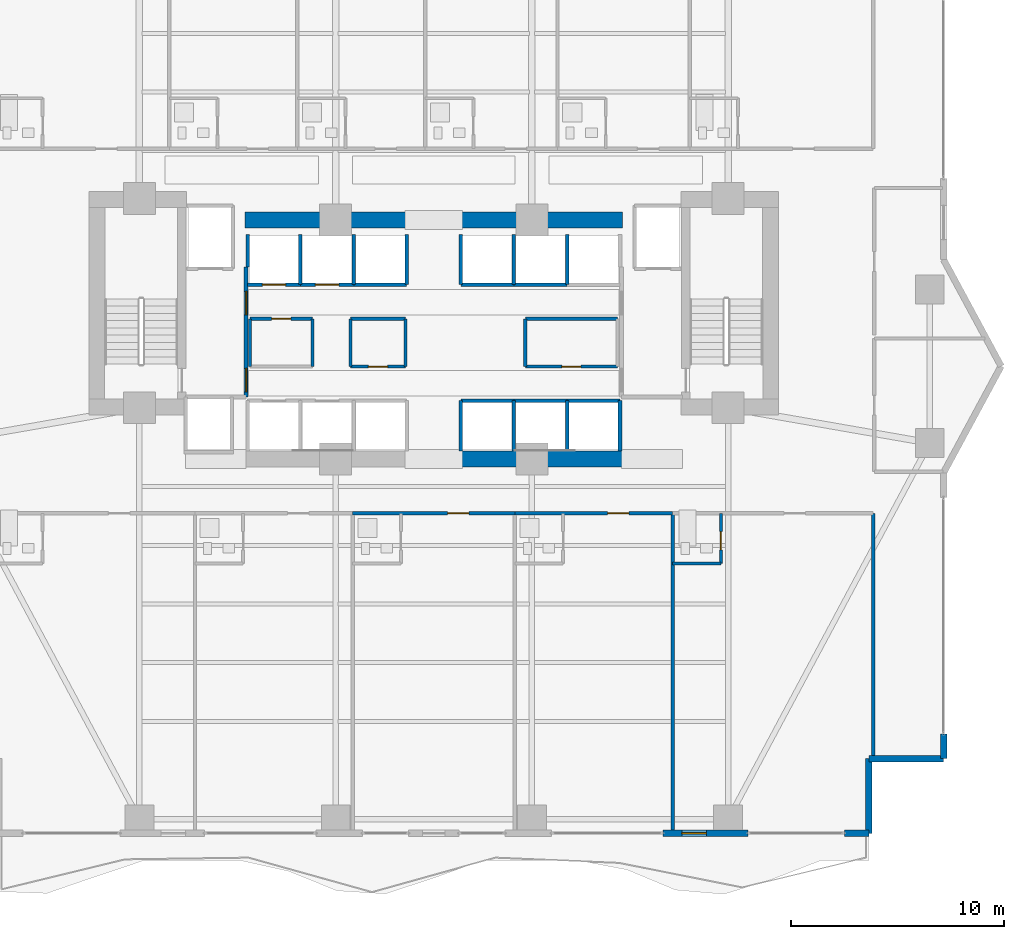
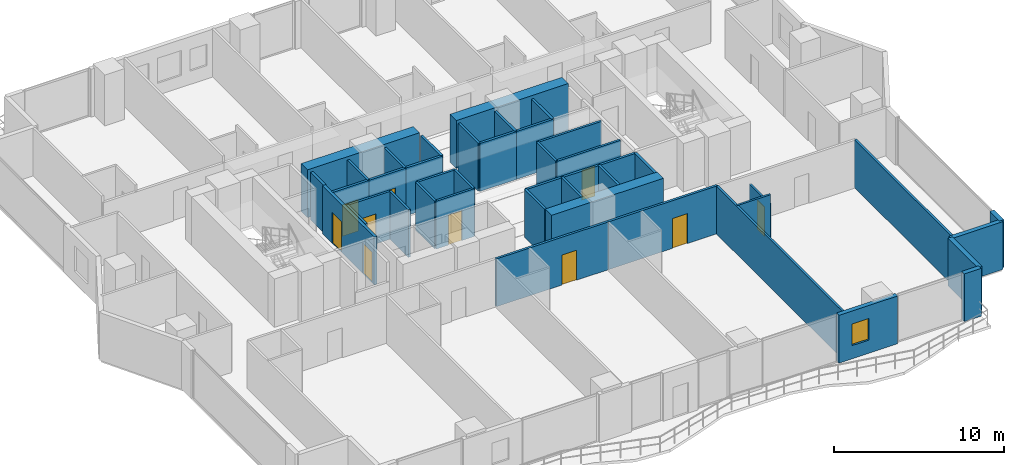
# One storey, part 21 of 27: 44 walls, 10 doors, 1 window, 11 openings.
"""IFC4 building model written with IfcOpenShell, lengths in metres."""

from ifc_helpers import new_model, si_unit, direction, frame, frame_2d, origin, place, context, subcontext, project, spatial, rectangle, extrude, material, layer, layer_set, type_object, element, fill, save


model = new_model("IFC4")

# Units and contexts
model_context = context("Model", 3, precision=1e-05, world=origin(), true_north=direction((0.0, 1.0)))
body_context = subcontext(model_context, "Body", "Model", "MODEL_VIEW")
ifc_project = project(units=[si_unit("LENGTHUNIT", "METRE"), si_unit("AREAUNIT", "SQUARE_METRE"), si_unit("VOLUMEUNIT", "CUBIC_METRE"), si_unit("PLANEANGLEUNIT", "RADIAN"), si_unit("MASSUNIT", "GRAM", prefix="KILO")], contexts=[model_context])

# Site, building, storey
site_placement = place(None, origin())
site = spatial("IfcSite", under=ifc_project, at=site_placement, CompositionType="ELEMENT")
building_placement = place(site_placement, origin())
building = spatial("IfcBuilding", under=site, at=building_placement, Name="Zuhayl Quay Hotel", CompositionType="ELEMENT")
storey_placement = place(building_placement, frame((0.0, 0.0, 102.949951171875)))
storey = spatial("IfcBuildingStorey", under=building, at=storey_placement, Name="L25", CompositionType="ELEMENT", Elevation=102.949951171875)

# Walls
ifc_material_1 = material(Name="Concrete C60/75", Category="concrete")
ifc_layer_1 = layer(ifc_material_1, 0.75, Name="Concrete C60/75", Category="concrete")
ifc_layer_set_1 = layer_set([ifc_layer_1], Name="Concrete C60/75")
wall_type_1 = type_object("IfcWallType", Name="WL_CORE_750", PredefinedType="SHEAR", material=ifc_layer_set_1)
for number, where, z_axis, x_axis, name in (
    (1, (1.25, 2.14990234375, 0.0), (0.0, 0.0, 1.0), (1.0, 0.0, 0.0), "L25 Core Shear Wall CW_SC_E"),
    (2, (-8.85009765625, 13.35009765625, 0.0), (0.0, 0.0, 1.0), (1.0, 0.0, 0.0), "L25 Core Shear Wall CW_NC_W"),
    (3, (1.25, 13.35009765625, 0.0), (0.0, 0.0, 1.0), (1.0, 0.0, 0.0), "L25 Core Shear Wall CW_NC_E"),
):
    element("IfcWall", number, at=place(storey_placement, frame(where, z_axis=z_axis, x_axis=x_axis)), inside=storey, type_object=wall_type_1, Name=name, PredefinedType="SHEAR", context=body_context, shape_type="SweptSolid", body=[
        extrude(rectangle(XDim=7.60009765625, YDim=0.75, at=frame_2d((3.800048828125, 0.0))), origin(), (0.0, 0.0, 1.0), 3.429931640625),
    ])
ifc_material_2 = material(Name="Precast concrete C45/55", Category="concrete")
ifc_layer_2 = layer(ifc_material_2, 0.300048828125, Name="Precast concrete C45/55", Category="concrete")
ifc_layer_set_2 = layer_set([ifc_layer_2], Name="Precast concrete C45/55")
wall_type_2 = type_object("IfcWallType", Name="WL_EXT_300", PredefinedType="STANDARD", material=ifc_layer_set_2)
wall_1_placement = place(storey_placement, frame((23.89990234375, -10.75, 0.0), z_axis=(0.0, 0.0, 1.0), x_axis=(0.0, -1.0, 0.0)))
element("IfcWall", 4, at=wall_1_placement, inside=storey, type_object=wall_type_2, Name="L25 Exterior Precast Wall ENV_L25_E14_EW2", PredefinedType="STANDARD", context=body_context, shape_type="SweptSolid", body=[
    extrude(rectangle(XDim=1.14990234375, YDim=0.300048828125, at=frame_2d((0.574951171875, 0.0))), origin(), (0.0, 0.0, 1.0), 3.429931640625),
])
for number, where, z_axis, x_axis, name in (
    (5, (23.89990234375, -11.89990234375, 0.0), (0.0, 0.0, 1.0), (-1.0, 0.0, 0.0), "L25 Exterior Precast Wall ENV_L25_EW15"),
    (6, (20.39990234375, -11.89990234375, 0.0), (0.0, 0.0, 1.0), (0.0, -1.0, 0.0), "L25 Exterior Precast Wall ENV_L25_EW16"),
):
    element("IfcWall", number, at=place(storey_placement, frame(where, z_axis=z_axis, x_axis=x_axis)), inside=storey, type_object=wall_type_2, Name=name, PredefinedType="STANDARD", context=body_context, shape_type="SweptSolid", body=[
        extrude(rectangle(XDim=3.5, YDim=0.300048828125, at=frame_2d((1.75, 0.0))), origin(), (0.0, 0.0, 1.0), 3.429931640625),
    ])
wall_2_placement = place(storey_placement, frame((20.39990234375, -15.39990234375, 0.0), z_axis=(0.0, 0.0, 1.0), x_axis=(-1.0, 0.0, 0.0)))
element("IfcWall", 7, at=wall_2_placement, inside=storey, type_object=wall_type_2, Name="L25 Exterior Precast Wall ENV_L25_S_EW1", PredefinedType="STANDARD", context=body_context, shape_type="SweptSolid", body=[
    extrude(rectangle(XDim=1.14990234375, YDim=0.300048828125, at=frame_2d((0.574951171875, 0.0))), origin(), (0.0, 0.0, 1.0), 3.429931640625),
])

# Wall, opening, window
wall_3_placement = place(storey_placement, frame((14.719970703125, -15.39990234375, 0.0), z_axis=(0.0, 0.0, 1.0), x_axis=(-1.0, 0.0, 0.0)))
wall_3 = element("IfcWall", 8, at=wall_3_placement, inside=storey, type_object=wall_type_2, Name="L25 Exterior Precast Wall ENV_L25_S_EW2", PredefinedType="STANDARD", context=body_context, shape_type="SweptSolid", body=[
    extrude(rectangle(XDim=3.969970703125, YDim=0.300048828125, at=frame_2d((1.98486328125, 0.0))), origin(), (0.0, 0.0, 1.0), 3.429931640625),
])
opening_1_placement = place(wall_3_placement, frame((1.93505859375, 0.0, 0.949951171875)))
opening_1 = element("IfcOpeningElement", 9, at=opening_1_placement, cuts=wall_3, Name="Opening W01N", PredefinedType="OPENING", context=body_context, shape_type="SweptSolid", body=[
    extrude(rectangle(XDim=1.14990234375, YDim=1.550048828125, at=frame_2d((0.574951171875, 0.77490234375))), frame((0.0, 0.159912109375, 0.0), z_axis=(0.0, -1.0, 0.0), x_axis=(1.0, 0.0, 0.0)), (0.0, 0.0, 1.0), 0.320068359375),
])
ifc_material_3 = material(Name="Dark Ceramic-Fritted Solar Glass", Category="glass")
window_type = type_object("IfcWindowType", Name="WN_NOTCH_1350", PartitioningType="SINGLE_PANEL", PredefinedType="WINDOW", material=ifc_material_3)
window_placement = place(opening_1_placement, origin())
window = element("IfcWindow", 10, at=window_placement, inside=storey, type_object=window_type, Name="L25 Operable Facade Window 2-1", OverallHeight=1.550048828125, OverallWidth=1.14990234375, PartitioningType="SINGLE_PANEL", PredefinedType="WINDOW", context=body_context, shape_type="SweptSolid", body=[
    extrude(rectangle(XDim=1.14990234375, YDim=1.550048828125, at=frame_2d((0.574951171875, 0.77490234375))), frame((0.0, 0.030029296875, 0.0), z_axis=(0.0, -1.0, 0.0), x_axis=(1.0, 0.0, 0.0)), (0.0, 0.0, 1.0), 0.06005859375),
])
fill(opening_1, window)

# Wall, opening, door
ifc_material_4 = material(Name="Acoustic Gypsum Partition STC-58")
ifc_layer_3 = layer(ifc_material_4, 0.14990234375, Name="Acoustic Gypsum Partition STC-58")
ifc_layer_set_3 = layer_set([ifc_layer_3], Name="Acoustic Gypsum Partition STC-58")
wall_type_3 = type_object("IfcWallType", Name="WL_PART_150", PredefinedType="PARTITIONING", material=ifc_layer_set_3)
wall_4_placement = place(storey_placement, frame((-8.610107421875, 8.719970703125, 0.0), z_axis=(0.0, 0.0, 1.0), x_axis=(1.0, 0.0, 0.0)))
wall_4 = element("IfcWall", 11, at=wall_4_placement, inside=storey, type_object=wall_type_3, Name="L25 Partition IW_L25_CORE_HK_N", PredefinedType="PARTITIONING", context=body_context, shape_type="SweptSolid", body=[
    extrude(rectangle(XDim=2.920166015625, YDim=0.14990234375, at=frame_2d((1.4599609375, 0.0))), origin(), (0.0, 0.0, 1.0), 3.429931640625),
])
opening_2_placement = place(wall_4_placement, frame((1.010009765625, 0.0, 0.0)))
opening_2 = element("IfcOpeningElement", 12, at=opening_2_placement, cuts=wall_4, Name="Opening D06", PredefinedType="OPENING", context=body_context, shape_type="SweptSolid", body=[
    extrude(rectangle(XDim=0.89990234375, YDim=2.14990234375, at=frame_2d((0.449951171875, 1.074951171875))), frame((0.0, 0.0849609375, 0.0), z_axis=(0.0, -1.0, 0.0), x_axis=(1.0, 0.0, 0.0)), (0.0, 0.0, 1.0), 0.169921875),
])
ifc_material_5 = material(Name="Steel ASTM A992 Grade 50", Category="steel")
door_type_1 = type_object("IfcDoorType", Name="DR_INT_900", OperationType="NOTDEFINED", PredefinedType="DOOR", material=ifc_material_5)
door_1_placement = place(opening_2_placement, origin())
door_1 = element("IfcDoor", 13, at=door_1_placement, inside=storey, type_object=door_type_1, Name="L25 Core Housekeeping Store Door", OperationType="SINGLE_SWING_RIGHT", OverallHeight=2.14990234375, OverallWidth=0.89990234375, PredefinedType="DOOR", context=body_context, shape_type="SweptSolid", body=[
    extrude(rectangle(XDim=0.89990234375, YDim=2.14990234375, at=frame_2d((0.449951171875, 1.074951171875))), frame((0.0, 0.02490234375, 0.0), z_axis=(0.0, -1.0, 0.0), x_axis=(1.0, 0.0, 0.0)), (0.0, 0.0, 1.0), 0.050048828125),
])
fill(opening_2, door_1)

wall_5_placement = place(storey_placement, frame((-3.909912109375, 6.47998046875, 0.0), z_axis=(0.0, 0.0, 1.0), x_axis=(1.0, 0.0, 0.0)))
wall_5 = element("IfcWall", 14, at=wall_5_placement, inside=storey, type_object=wall_type_3, Name="L25 Partition IW_L25_CORE_BC_S", PredefinedType="PARTITIONING", context=body_context, shape_type="SweptSolid", body=[
    extrude(rectangle(XDim=2.58984375, YDim=0.14990234375, at=frame_2d((1.294921875, 0.0))), origin(), (0.0, 0.0, 1.0), 3.429931640625),
])
opening_3_placement = place(wall_5_placement, frame((0.844970703125, 0.0, 0.0)))
opening_3 = element("IfcOpeningElement", 15, at=opening_3_placement, cuts=wall_5, Name="Opening D06", PredefinedType="OPENING", context=body_context, shape_type="SweptSolid", body=[
    extrude(rectangle(XDim=0.89990234375, YDim=2.14990234375, at=frame_2d((0.449951171875, 1.074951171875))), frame((0.0, 0.0849609375, 0.0), z_axis=(0.0, -1.0, 0.0), x_axis=(1.0, 0.0, 0.0)), (0.0, 0.0, 1.0), 0.169921875),
])
door_2_placement = place(opening_3_placement, origin())
door_2 = element("IfcDoor", 16, at=door_2_placement, inside=storey, type_object=door_type_1, Name="L25 BMS Control Closet Door", OperationType="SINGLE_SWING_LEFT", OverallHeight=2.14990234375, OverallWidth=0.89990234375, PredefinedType="DOOR", context=body_context, shape_type="SweptSolid", body=[
    extrude(rectangle(XDim=0.89990234375, YDim=2.14990234375, at=frame_2d((0.449951171875, 1.074951171875))), frame((0.0, 0.02490234375, 0.0), z_axis=(0.0, -1.0, 0.0), x_axis=(1.0, 0.0, 0.0)), (0.0, 0.0, 1.0), 0.050048828125),
])
fill(opening_3, door_2)

wall_6_placement = place(storey_placement, frame((4.2900390625, 6.47998046875, 0.0), z_axis=(0.0, 0.0, 1.0), x_axis=(1.0, 0.0, 0.0)))
wall_6 = element("IfcWall", 17, at=wall_6_placement, inside=storey, type_object=wall_type_3, Name="L25 Partition IW_L25_CORE_VL_S", PredefinedType="PARTITIONING", context=body_context, shape_type="SweptSolid", body=[
    extrude(rectangle(XDim=4.320068359375, YDim=0.14990234375, at=frame_2d((2.16015625, 0.0))), origin(), (0.0, 0.0, 1.0), 3.429931640625),
])
opening_4_placement = place(wall_6_placement, frame((1.7099609375, 0.0, 0.0)))
opening_4 = element("IfcOpeningElement", 18, at=opening_4_placement, cuts=wall_6, Name="Opening D06", PredefinedType="OPENING", context=body_context, shape_type="SweptSolid", body=[
    extrude(rectangle(XDim=0.89990234375, YDim=2.14990234375, at=frame_2d((0.449951171875, 1.074951171875))), frame((0.0, 0.0849609375, 0.0), z_axis=(0.0, -1.0, 0.0), x_axis=(1.0, 0.0, 0.0)), (0.0, 0.0, 1.0), 0.169921875),
])
door_3_placement = place(opening_4_placement, origin())
door_3 = element("IfcDoor", 19, at=door_3_placement, inside=storey, type_object=door_type_1, Name="L25 Floor Valet Store Door", OperationType="SINGLE_SWING_RIGHT", OverallHeight=2.14990234375, OverallWidth=0.89990234375, PredefinedType="DOOR", context=body_context, shape_type="SweptSolid", body=[
    extrude(rectangle(XDim=0.89990234375, YDim=2.14990234375, at=frame_2d((0.449951171875, 1.074951171875))), frame((0.0, 0.02490234375, 0.0), z_axis=(0.0, -1.0, 0.0), x_axis=(1.0, 0.0, 0.0)), (0.0, 0.0, 1.0), 0.050048828125),
])
fill(opening_4, door_3)

# Walls
for number, where, z_axis, x_axis, name in (
    (20, (-8.610107421875, 6.47998046875, 0.0), (0.0, 0.0, 1.0), (0.0, 1.0, 0.0), "L25 Partition IW_L25_CORE_HK_W"),
    (21, (-5.68994140625, 6.47998046875, 0.0), (0.0, 0.0, 1.0), (0.0, 1.0, 0.0), "L25 Partition IW_L25_CORE_HK_E"),
):
    element("IfcWall", number, at=place(storey_placement, frame(where, z_axis=z_axis, x_axis=x_axis)), inside=storey, type_object=wall_type_3, Name=name, PredefinedType="PARTITIONING", context=body_context, shape_type="SweptSolid", body=[
        extrude(rectangle(XDim=2.239990234375, YDim=0.14990234375, at=frame_2d((1.1201171875, 0.0))), origin(), (0.0, 0.0, 1.0), 3.429931640625),
    ])
wall_7_placement = place(storey_placement, frame((-3.909912109375, 8.719970703125, 0.0), z_axis=(0.0, 0.0, 1.0), x_axis=(1.0, 0.0, 0.0)))
element("IfcWall", 22, at=wall_7_placement, inside=storey, type_object=wall_type_3, Name="L25 Partition IW_L25_CORE_BC_N", PredefinedType="PARTITIONING", context=body_context, shape_type="SweptSolid", body=[
    extrude(rectangle(XDim=2.58984375, YDim=0.14990234375, at=frame_2d((1.294921875, 0.0))), origin(), (0.0, 0.0, 1.0), 3.429931640625),
])
for number, where, z_axis, x_axis, name in (
    (23, (-3.909912109375, 6.47998046875, 0.0), (0.0, 0.0, 1.0), (0.0, 1.0, 0.0), "L25 Partition IW_L25_CORE_BC_W"),
    (24, (-1.320068359375, 6.47998046875, 0.0), (0.0, 0.0, 1.0), (0.0, 1.0, 0.0), "L25 Partition IW_L25_CORE_BC_E"),
):
    element("IfcWall", number, at=place(storey_placement, frame(where, z_axis=z_axis, x_axis=x_axis)), inside=storey, type_object=wall_type_3, Name=name, PredefinedType="PARTITIONING", context=body_context, shape_type="SweptSolid", body=[
        extrude(rectangle(XDim=2.239990234375, YDim=0.14990234375, at=frame_2d((1.1201171875, 0.0))), origin(), (0.0, 0.0, 1.0), 3.429931640625),
    ])
wall_8_placement = place(storey_placement, frame((4.2900390625, 8.719970703125, 0.0), z_axis=(0.0, 0.0, 1.0), x_axis=(1.0, 0.0, 0.0)))
element("IfcWall", 25, at=wall_8_placement, inside=storey, type_object=wall_type_3, Name="L25 Partition IW_L25_CORE_VL_N", PredefinedType="PARTITIONING", context=body_context, shape_type="SweptSolid", body=[
    extrude(rectangle(XDim=4.320068359375, YDim=0.14990234375, at=frame_2d((2.16015625, 0.0))), origin(), (0.0, 0.0, 1.0), 3.429931640625),
])
wall_9_placement = place(storey_placement, frame((4.2900390625, 6.47998046875, 0.0), z_axis=(0.0, 0.0, 1.0), x_axis=(0.0, 1.0, 0.0)))
element("IfcWall", 26, at=wall_9_placement, inside=storey, type_object=wall_type_3, Name="L25 Partition IW_L25_CORE_VL_W", PredefinedType="PARTITIONING", context=body_context, shape_type="SweptSolid", body=[
    extrude(rectangle(XDim=2.239990234375, YDim=0.14990234375, at=frame_2d((1.1201171875, 0.0))), origin(), (0.0, 0.0, 1.0), 3.429931640625),
])
wall_10_placement = place(storey_placement, frame((11.199951171875, -15.320068359375, 0.0), z_axis=(0.0, 0.0, 1.0), x_axis=(0.0, 1.0, 0.0)))
element("IfcWall", 27, at=wall_10_placement, inside=storey, type_object=wall_type_3, Name="L25 Partition IW_L25_SU04_E", PredefinedType="PARTITIONING", context=body_context, shape_type="SweptSolid", body=[
    extrude(rectangle(XDim=14.920166015625, YDim=0.14990234375, at=frame_2d((7.4599609375, 0.0))), origin(), (0.0, 0.0, 1.0), 3.429931640625),
])
wall_11_placement = place(storey_placement, frame((20.60009765625, -11.89990234375, 0.0), z_axis=(0.0, 0.0, 1.0), x_axis=(0.0, 1.0, 0.0)))
element("IfcWall", 28, at=wall_11_placement, inside=storey, type_object=wall_type_3, Name="L25 Partition IW_L25_SU05_E", PredefinedType="PARTITIONING", context=body_context, shape_type="SweptSolid", body=[
    extrude(rectangle(XDim=11.5, YDim=0.14990234375, at=frame_2d((5.75, 0.0))), origin(), (0.0, 0.0, 1.0), 3.429931640625),
])

# Wall, opening, door
ifc_layer_4 = layer(ifc_material_4, 0.159912109375, Name="Acoustic Gypsum Partition STC-58")
ifc_layer_set_4 = layer_set([ifc_layer_4], Name="Acoustic Gypsum Partition STC-58")
wall_type_4 = type_object("IfcWallType", Name="WL_PART_CORR_160", PredefinedType="PARTITIONING", material=ifc_layer_set_4)
wall_12_placement = place(storey_placement, frame((-3.800048828125, -0.39990234375, 0.0), z_axis=(0.0, 0.0, 1.0), x_axis=(1.0, 0.0, 0.0)))
wall_12 = element("IfcWall", 29, at=wall_12_placement, inside=storey, type_object=wall_type_4, Name="L25 Partition IW_L25_SU03_COR", PredefinedType="PARTITIONING", context=body_context, shape_type="SweptSolid", body=[
    extrude(rectangle(XDim=7.60009765625, YDim=0.159912109375, at=frame_2d((3.800048828125, 0.0))), origin(), (0.0, 0.0, 1.0), 3.429931640625),
])
opening_5_placement = place(wall_12_placement, frame((4.449951171875, 0.0, 0.0)))
opening_5 = element("IfcOpeningElement", 30, at=opening_5_placement, cuts=wall_12, Name="Opening D03L", PredefinedType="OPENING", context=body_context, shape_type="SweptSolid", body=[
    extrude(rectangle(XDim=1.0, YDim=2.14990234375, at=frame_2d((0.5, 1.074951171875))), frame((0.0, 0.08984375, 0.0), z_axis=(0.0, -1.0, 0.0), x_axis=(1.0, 0.0, 0.0)), (0.0, 0.0, 1.0), 0.179931640625),
])
ifc_material_6 = material(Name="Solid Walnut Acoustic Fire Door")
door_type_2 = type_object("IfcDoorType", Name="DR_SUITE_1000", OperationType="NOTDEFINED", PredefinedType="DOOR", material=ifc_material_6)
door_4_placement = place(opening_5_placement, origin())
door_4 = element("IfcDoor", 31, at=door_4_placement, inside=storey, type_object=door_type_2, Name="L25 City-View Junior Suite L25-03 Entrance Door", OperationType="SINGLE_SWING_RIGHT", OverallHeight=2.14990234375, OverallWidth=1.0, PredefinedType="DOOR", context=body_context, shape_type="SweptSolid", body=[
    extrude(rectangle(XDim=1.0, YDim=2.14990234375, at=frame_2d((0.5, 1.074951171875))), frame((0.0, 0.02490234375, 0.0), z_axis=(0.0, -1.0, 0.0), x_axis=(1.0, 0.0, 0.0)), (0.0, 0.0, 1.0), 0.050048828125),
])
fill(opening_5, door_4)

wall_13_placement = place(storey_placement, frame((3.800048828125, -0.39990234375, 0.0), z_axis=(0.0, 0.0, 1.0), x_axis=(1.0, 0.0, 0.0)))
wall_13 = element("IfcWall", 32, at=wall_13_placement, inside=storey, type_object=wall_type_4, Name="L25 Partition IW_L25_SU04_COR", PredefinedType="PARTITIONING", context=body_context, shape_type="SweptSolid", body=[
    extrude(rectangle(XDim=7.39990234375, YDim=0.159912109375, at=frame_2d((3.699951171875, 0.0))), origin(), (0.0, 0.0, 1.0), 3.429931640625),
])
opening_6_placement = place(wall_13_placement, frame((4.35009765625, 0.0, 0.0)))
opening_6 = element("IfcOpeningElement", 33, at=opening_6_placement, cuts=wall_13, Name="Opening D03L", PredefinedType="OPENING", context=body_context, shape_type="SweptSolid", body=[
    extrude(rectangle(XDim=1.0, YDim=2.14990234375, at=frame_2d((0.5, 1.074951171875))), frame((0.0, 0.08984375, 0.0), z_axis=(0.0, -1.0, 0.0), x_axis=(1.0, 0.0, 0.0)), (0.0, 0.0, 1.0), 0.179931640625),
])
door_5_placement = place(opening_6_placement, origin())
door_5 = element("IfcDoor", 34, at=door_5_placement, inside=storey, type_object=door_type_2, Name="L25 City-View Junior Suite L25-04 Entrance Door", OperationType="SINGLE_SWING_RIGHT", OverallHeight=2.14990234375, OverallWidth=1.0, PredefinedType="DOOR", context=body_context, shape_type="SweptSolid", body=[
    extrude(rectangle(XDim=1.0, YDim=2.14990234375, at=frame_2d((0.5, 1.074951171875))), frame((0.0, 0.02490234375, 0.0), z_axis=(0.0, -1.0, 0.0), x_axis=(1.0, 0.0, 0.0)), (0.0, 0.0, 1.0), 0.050048828125),
])
fill(opening_6, door_5)

ifc_material_7 = material(Name="Moisture-Resistant Sanitarychase Gypsum")
ifc_layer_5 = layer(ifc_material_7, 0.135009765625, Name="Moisture-Resistant Sanitarychase Gypsum")
ifc_layer_set_5 = layer_set([ifc_layer_5], Name="Moisture-Resistant Sanitarychase Gypsum")
wall_type_5 = type_object("IfcWallType", Name="WL_PART_PLUMB_150", PredefinedType="PLUMBINGWALL", material=ifc_layer_set_5)
wall_14_placement = place(storey_placement, frame((13.4599609375, -2.760009765625, 0.0), z_axis=(0.0, 0.0, 1.0), x_axis=(0.0, 1.0, 0.0)))
wall_14 = element("IfcWall", 35, at=wall_14_placement, inside=storey, type_object=wall_type_5, Name="L25 Partition IW_L25_SU05_BE", PredefinedType="PLUMBINGWALL", context=body_context, shape_type="SweptSolid", body=[
    extrude(rectangle(XDim=2.360107421875, YDim=0.135009765625, at=frame_2d((1.18017578125, 0.0))), origin(), (0.0, 0.0, 1.0), 2.7470703125),
])
opening_7_placement = place(wall_14_placement, frame((0.64990234375, 0.0, 0.0)))
opening_7 = element("IfcOpeningElement", 36, at=opening_7_placement, cuts=wall_14, Name="Opening D04", PredefinedType="OPENING", context=body_context, shape_type="SweptSolid", body=[
    extrude(rectangle(XDim=0.85009765625, YDim=2.10009765625, at=frame_2d((0.425048828125, 1.050048828125))), frame((0.0, 0.077392578125, 0.0), z_axis=(0.0, -1.0, 0.0), x_axis=(1.0, 0.0, 0.0)), (0.0, 0.0, 1.0), 0.155029296875),
])
ifc_material_8 = material(Name="Moisture-Resistant Walnut Veneer")
door_type_3 = type_object("IfcDoorType", Name="DR_BATH_850", OperationType="NOTDEFINED", PredefinedType="DOOR", material=ifc_material_8)
door_6_placement = place(opening_7_placement, origin())
door_6 = element("IfcDoor", 37, at=door_6_placement, inside=storey, type_object=door_type_3, Name="L25 City-View Junior Suite L25-05 En-Suite Door", OperationType="SINGLE_SWING_LEFT", OverallHeight=2.10009765625, OverallWidth=0.85009765625, PredefinedType="DOOR", context=body_context, shape_type="SweptSolid", body=[
    extrude(rectangle(XDim=0.85009765625, YDim=2.10009765625, at=frame_2d((0.425048828125, 1.050048828125))), frame((0.0, 0.02490234375, 0.0), z_axis=(0.0, -1.0, 0.0), x_axis=(1.0, 0.0, 0.0)), (0.0, 0.0, 1.0), 0.050048828125),
])
fill(opening_7, door_6)

# Wall
wall_15_placement = place(storey_placement, frame((11.199951171875, -2.760009765625, 0.0), z_axis=(0.0, 0.0, 1.0), x_axis=(1.0, 0.0, 0.0)))
element("IfcWall", 38, at=wall_15_placement, inside=storey, type_object=wall_type_5, Name="L25 Partition IW_L25_SU05_BS", PredefinedType="PLUMBINGWALL", context=body_context, shape_type="SweptSolid", body=[
    extrude(rectangle(XDim=2.260009765625, YDim=0.135009765625, at=frame_2d((1.1298828125, 0.0))), origin(), (0.0, 0.0, 1.0), 3.429931640625),
])

# Wall, opening, door
ifc_material_9 = material(Name="Gypsum Fireboard Assembly EI-90")
ifc_layer_6 = layer(ifc_material_9, 0.1650390625, Name="Gypsum Fireboard Assembly EI-90")
ifc_layer_set_6 = layer_set([ifc_layer_6], Name="Gypsum Fireboard Assembly EI-90")
wall_type_6 = type_object("IfcWallType", Name="WL_PART_SHAFT_160", PredefinedType="PARTITIONING", material=ifc_layer_set_6)
wall_16_placement = place(storey_placement, frame((-8.72998046875, 10.320068359375, 0.0), z_axis=(0.0, 0.0, 1.0), x_axis=(1.0, 0.0, 0.0)))
wall_16 = element("IfcWall", 39, at=wall_16_placement, inside=storey, type_object=wall_type_6, Name="L25 Partition IW_L25_SH_LP3_F", PredefinedType="PARTITIONING", context=body_context, shape_type="SweptSolid", body=[
    extrude(rectangle(XDim=2.47998046875, YDim=0.1650390625, at=frame_2d((1.239990234375, 0.0))), origin(), (0.0, 0.0, 1.0), 3.429931640625),
])
opening_8_placement = place(wall_16_placement, frame((0.68994140625, 0.0, 0.0)))
opening_8 = element("IfcOpeningElement", 40, at=opening_8_placement, cuts=wall_16, Name="Opening LD1", PredefinedType="OPENING", context=body_context, shape_type="SweptSolid", body=[
    extrude(rectangle(XDim=1.10009765625, YDim=2.25, at=frame_2d((0.550048828125, 1.125))), frame((0.0, 0.092529296875, 0.0), z_axis=(0.0, -1.0, 0.0), x_axis=(1.0, 0.0, 0.0)), (0.0, 0.0, 1.0), 0.18505859375),
])
ifc_material_10 = material(Name="Brushed Stainless Steel", Category="steel")
door_type_4 = type_object("IfcDoorType", Name="DR_LIFT_PASS_1100", OperationType="SLIDING_TO_LEFT", PredefinedType="DOOR", material=ifc_material_10)
door_7_placement = place(opening_8_placement, origin())
door_7 = element("IfcDoor", 41, at=door_7_placement, inside=storey, type_object=door_type_4, Name="L25 Lift LP3 Sliding Landing Door", OperationType="SLIDING_TO_LEFT", OverallHeight=2.25, OverallWidth=1.10009765625, PredefinedType="DOOR", context=body_context, shape_type="SweptSolid", body=[
    extrude(rectangle(XDim=1.10009765625, YDim=2.25, at=frame_2d((0.550048828125, 1.125))), frame((0.0, 0.02490234375, 0.0), z_axis=(0.0, -1.0, 0.0), x_axis=(1.0, 0.0, 0.0)), (0.0, 0.0, 1.0), 0.050048828125),
])
fill(opening_8, door_7)

wall_17_placement = place(storey_placement, frame((-6.25, 10.320068359375, 0.0), z_axis=(0.0, 0.0, 1.0), x_axis=(1.0, 0.0, 0.0)))
wall_17 = element("IfcWall", 42, at=wall_17_placement, inside=storey, type_object=wall_type_6, Name="L25 Partition IW_L25_SH_LP4_F", PredefinedType="PARTITIONING", context=body_context, shape_type="SweptSolid", body=[
    extrude(rectangle(XDim=2.5, YDim=0.1650390625, at=frame_2d((1.25, 0.0))), origin(), (0.0, 0.0, 1.0), 3.429931640625),
])
opening_9_placement = place(wall_17_placement, frame((0.699951171875, 0.0, 0.0)))
opening_9 = element("IfcOpeningElement", 43, at=opening_9_placement, cuts=wall_17, Name="Opening LD1", PredefinedType="OPENING", context=body_context, shape_type="SweptSolid", body=[
    extrude(rectangle(XDim=1.10009765625, YDim=2.25, at=frame_2d((0.550048828125, 1.125))), frame((0.0, 0.092529296875, 0.0), z_axis=(0.0, -1.0, 0.0), x_axis=(1.0, 0.0, 0.0)), (0.0, 0.0, 1.0), 0.18505859375),
])
door_8_placement = place(opening_9_placement, origin())
door_8 = element("IfcDoor", 44, at=door_8_placement, inside=storey, type_object=door_type_4, Name="L25 Lift LP4 Sliding Landing Door", OperationType="SLIDING_TO_LEFT", OverallHeight=2.25, OverallWidth=1.10009765625, PredefinedType="DOOR", context=body_context, shape_type="SweptSolid", body=[
    extrude(rectangle(XDim=1.10009765625, YDim=2.25, at=frame_2d((0.550048828125, 1.125))), frame((0.0, 0.02490234375, 0.0), z_axis=(0.0, -1.0, 0.0), x_axis=(1.0, 0.0, 0.0)), (0.0, 0.0, 1.0), 0.050048828125),
])
fill(opening_9, door_8)

# Walls
wall_18_placement = place(storey_placement, frame((-8.72998046875, 11.14990234375, 0.0), z_axis=(0.0, 0.0, 1.0), x_axis=(0.0, 1.0, 0.0)))
element("IfcWall", 45, at=wall_18_placement, inside=storey, type_object=wall_type_6, Name="L25 Partition IW_L25_SH_LP3_W", PredefinedType="PARTITIONING", context=body_context, shape_type="SweptSolid", body=[
    extrude(rectangle(XDim=1.530029296875, YDim=0.1650390625, at=frame_2d((0.76513671875, 0.0))), origin(), (0.0, 0.0, 1.0), 3.429931640625),
])
for number, where, z_axis, x_axis, name in (
    (46, (-6.25, 10.320068359375, 0.0), (0.0, 0.0, 1.0), (0.0, 1.0, 0.0), "L25 Partition IW_L25_SH_LP3_E"),
    (47, (-3.75, 10.320068359375, 0.0), (0.0, 0.0, 1.0), (0.0, 1.0, 0.0), "L25 Partition IW_L25_SH_LP4_E"),
):
    element("IfcWall", number, at=place(storey_placement, frame(where, z_axis=z_axis, x_axis=x_axis)), inside=storey, type_object=wall_type_6, Name=name, PredefinedType="PARTITIONING", context=body_context, shape_type="SweptSolid", body=[
        extrude(rectangle(XDim=2.35986328125, YDim=0.1650390625, at=frame_2d((1.179931640625, 0.0))), origin(), (0.0, 0.0, 1.0), 3.429931640625),
    ])
wall_19_placement = place(storey_placement, frame((1.27001953125, 4.8798828125, 0.0), z_axis=(0.0, 0.0, 1.0), x_axis=(1.0, 0.0, 0.0)))
element("IfcWall", 48, at=wall_19_placement, inside=storey, type_object=wall_type_6, Name="L25 Partition IW_L25_SH_MP2_F", PredefinedType="PARTITIONING", context=body_context, shape_type="SweptSolid", body=[
    extrude(rectangle(XDim=2.47998046875, YDim=0.1650390625, at=frame_2d((1.239990234375, 0.0))), origin(), (0.0, 0.0, 1.0), 3.429931640625),
])
for number, where, z_axis, x_axis, name in (
    (49, (1.27001953125, 2.52001953125, 0.0), (0.0, 0.0, 1.0), (0.0, 1.0, 0.0), "L25 Partition IW_L25_SH_MP2_W"),
    (50, (3.75, 2.52001953125, 0.0), (0.0, 0.0, 1.0), (0.0, 1.0, 0.0), "L25 Partition IW_L25_SH_MP2_E"),
):
    element("IfcWall", number, at=place(storey_placement, frame(where, z_axis=z_axis, x_axis=x_axis)), inside=storey, type_object=wall_type_6, Name=name, PredefinedType="PARTITIONING", context=body_context, shape_type="SweptSolid", body=[
        extrude(rectangle(XDim=2.35986328125, YDim=0.1650390625, at=frame_2d((1.179931640625, 0.0))), origin(), (0.0, 0.0, 1.0), 3.429931640625),
    ])
wall_20_placement = place(storey_placement, frame((-3.75, 10.320068359375, 0.0), z_axis=(0.0, 0.0, 1.0), x_axis=(1.0, 0.0, 0.0)))
element("IfcWall", 51, at=wall_20_placement, inside=storey, type_object=wall_type_6, Name="L25 Partition IW_L25_SH_MP3_F", PredefinedType="PARTITIONING", context=body_context, shape_type="SweptSolid", body=[
    extrude(rectangle(XDim=2.47998046875, YDim=0.1650390625, at=frame_2d((1.239990234375, 0.0))), origin(), (0.0, 0.0, 1.0), 3.429931640625),
])
wall_21_placement = place(storey_placement, frame((-1.27001953125, 10.320068359375, 0.0), z_axis=(0.0, 0.0, 1.0), x_axis=(0.0, 1.0, 0.0)))
element("IfcWall", 52, at=wall_21_placement, inside=storey, type_object=wall_type_6, Name="L25 Partition IW_L25_SH_MP3_E", PredefinedType="PARTITIONING", context=body_context, shape_type="SweptSolid", body=[
    extrude(rectangle(XDim=2.35986328125, YDim=0.1650390625, at=frame_2d((1.179931640625, 0.0))), origin(), (0.0, 0.0, 1.0), 3.429931640625),
])
wall_22_placement = place(storey_placement, frame((1.27001953125, 10.320068359375, 0.0), z_axis=(0.0, 0.0, 1.0), x_axis=(1.0, 0.0, 0.0)))
element("IfcWall", 53, at=wall_22_placement, inside=storey, type_object=wall_type_6, Name="L25 Partition IW_L25_SH_MP4_F", PredefinedType="PARTITIONING", context=body_context, shape_type="SweptSolid", body=[
    extrude(rectangle(XDim=2.47998046875, YDim=0.1650390625, at=frame_2d((1.239990234375, 0.0))), origin(), (0.0, 0.0, 1.0), 3.429931640625),
])
for number, where, z_axis, x_axis, name in (
    (54, (1.27001953125, 10.320068359375, 0.0), (0.0, 0.0, 1.0), (0.0, 1.0, 0.0), "L25 Partition IW_L25_SH_MP4_W"),
    (55, (3.75, 10.320068359375, 0.0), (0.0, 0.0, 1.0), (0.0, 1.0, 0.0), "L25 Partition IW_L25_SH_MP4_E"),
):
    element("IfcWall", number, at=place(storey_placement, frame(where, z_axis=z_axis, x_axis=x_axis)), inside=storey, type_object=wall_type_6, Name=name, PredefinedType="PARTITIONING", context=body_context, shape_type="SweptSolid", body=[
        extrude(rectangle(XDim=2.35986328125, YDim=0.1650390625, at=frame_2d((1.179931640625, 0.0))), origin(), (0.0, 0.0, 1.0), 3.429931640625),
    ])
wall_23_placement = place(storey_placement, frame((3.75, 4.8798828125, 0.0), z_axis=(0.0, 0.0, 1.0), x_axis=(1.0, 0.0, 0.0)))
element("IfcWall", 56, at=wall_23_placement, inside=storey, type_object=wall_type_6, Name="L25 Partition IW_L25_SH_HP1_F", PredefinedType="PARTITIONING", context=body_context, shape_type="SweptSolid", body=[
    extrude(rectangle(XDim=2.5, YDim=0.1650390625, at=frame_2d((1.25, 0.0))), origin(), (0.0, 0.0, 1.0), 3.429931640625),
])
wall_24_placement = place(storey_placement, frame((6.25, 2.52001953125, 0.0), z_axis=(0.0, 0.0, 1.0), x_axis=(0.0, 1.0, 0.0)))
element("IfcWall", 57, at=wall_24_placement, inside=storey, type_object=wall_type_6, Name="L25 Partition IW_L25_SH_HP1_E", PredefinedType="PARTITIONING", context=body_context, shape_type="SweptSolid", body=[
    extrude(rectangle(XDim=2.35986328125, YDim=0.1650390625, at=frame_2d((1.179931640625, 0.0))), origin(), (0.0, 0.0, 1.0), 3.429931640625),
])
wall_25_placement = place(storey_placement, frame((6.25, 4.8798828125, 0.0), z_axis=(0.0, 0.0, 1.0), x_axis=(1.0, 0.0, 0.0)))
element("IfcWall", 58, at=wall_25_placement, inside=storey, type_object=wall_type_6, Name="L25 Partition IW_L25_SH_HP2_F", PredefinedType="PARTITIONING", context=body_context, shape_type="SweptSolid", body=[
    extrude(rectangle(XDim=2.47998046875, YDim=0.1650390625, at=frame_2d((1.239990234375, 0.0))), origin(), (0.0, 0.0, 1.0), 3.429931640625),
])
wall_26_placement = place(storey_placement, frame((8.72998046875, 2.52001953125, 0.0), z_axis=(0.0, 0.0, 1.0), x_axis=(0.0, 1.0, 0.0)))
element("IfcWall", 59, at=wall_26_placement, inside=storey, type_object=wall_type_6, Name="L25 Partition IW_L25_SH_HP2_E", PredefinedType="PARTITIONING", context=body_context, shape_type="SweptSolid", body=[
    extrude(rectangle(XDim=2.35986328125, YDim=0.1650390625, at=frame_2d((1.179931640625, 0.0))), origin(), (0.0, 0.0, 1.0), 3.429931640625),
])
wall_27_placement = place(storey_placement, frame((3.75, 10.320068359375, 0.0), z_axis=(0.0, 0.0, 1.0), x_axis=(1.0, 0.0, 0.0)))
element("IfcWall", 60, at=wall_27_placement, inside=storey, type_object=wall_type_6, Name="L25 Partition IW_L25_SH_HP3_F", PredefinedType="PARTITIONING", context=body_context, shape_type="SweptSolid", body=[
    extrude(rectangle(XDim=2.5, YDim=0.1650390625, at=frame_2d((1.25, 0.0))), origin(), (0.0, 0.0, 1.0), 3.429931640625),
])
wall_28_placement = place(storey_placement, frame((6.25, 10.320068359375, 0.0), z_axis=(0.0, 0.0, 1.0), x_axis=(0.0, 1.0, 0.0)))
element("IfcWall", 61, at=wall_28_placement, inside=storey, type_object=wall_type_6, Name="L25 Partition IW_L25_SH_HP3_E", PredefinedType="PARTITIONING", context=body_context, shape_type="SweptSolid", body=[
    extrude(rectangle(XDim=2.35986328125, YDim=0.1650390625, at=frame_2d((1.179931640625, 0.0))), origin(), (0.0, 0.0, 1.0), 3.429931640625),
])

# Wall, openings, doors
ifc_material_11 = material(Name="Gypsum Fireboard Assembly EI-120")
ifc_layer_7 = layer(ifc_material_11, 0.199951171875, Name="Gypsum Fireboard Assembly EI-120")
ifc_layer_set_7 = layer_set([ifc_layer_7], Name="Gypsum Fireboard Assembly EI-120")
wall_type_7 = type_object("IfcWallType", Name="WL_PART_SHAFT_200", PredefinedType="PARTITIONING", material=ifc_layer_set_7)
wall_29_placement = place(storey_placement, frame((-8.800048828125, 5.050048828125, 0.0), z_axis=(0.0, 0.0, 1.0), x_axis=(0.0, 1.0, 0.0)))
wall_29 = element("IfcWall", 62, at=wall_29_placement, inside=storey, type_object=wall_type_7, Name="L25 Partition IW_L25_FSAE_W_E", PredefinedType="PARTITIONING", context=body_context, shape_type="SweptSolid", body=[
    extrude(rectangle(XDim=6.099853515625, YDim=0.199951171875, at=frame_2d((3.0498046875, 0.0))), origin(), (0.0, 0.0, 1.0), 3.429931640625),
])
opening_10_placement = place(wall_29_placement, frame((0.25, 0.0, 0.0)))
opening_10 = element("IfcOpeningElement", 63, at=opening_10_placement, cuts=wall_29, Name="Opening D02", PredefinedType="OPENING", context=body_context, shape_type="SweptSolid", body=[
    extrude(rectangle(XDim=1.10009765625, YDim=2.199951171875, at=frame_2d((0.550048828125, 1.10009765625))), frame((0.0, 0.10986328125, 0.0), z_axis=(0.0, -1.0, 0.0), x_axis=(1.0, 0.0, 0.0)), (0.0, 0.0, 1.0), 0.219970703125),
])
opening_11_placement = place(wall_29_placement, frame((3.85009765625, 0.0, 0.0)))
opening_11 = element("IfcOpeningElement", 64, at=opening_11_placement, cuts=wall_29, Name="Opening D02", PredefinedType="OPENING", context=body_context, shape_type="SweptSolid", body=[
    extrude(rectangle(XDim=1.10009765625, YDim=2.199951171875, at=frame_2d((0.550048828125, 1.10009765625))), frame((0.0, 0.10986328125, 0.0), z_axis=(0.0, -1.0, 0.0), x_axis=(1.0, 0.0, 0.0)), (0.0, 0.0, 1.0), 0.219970703125),
])
door_type_5 = type_object("IfcDoorType", Name="DR_FIRE_90_1100", OperationType="NOTDEFINED", PredefinedType="DOOR", material=ifc_material_5)
door_9_placement = place(opening_10_placement, origin())
door_9 = element("IfcDoor", 65, at=door_9_placement, inside=storey, type_object=door_type_5, Name="L25 FSAE Lobby West South Entry Door", OperationType="SINGLE_SWING_RIGHT", OverallHeight=2.199951171875, OverallWidth=1.10009765625, PredefinedType="DOOR", context=body_context, shape_type="SweptSolid", body=[
    extrude(rectangle(XDim=1.10009765625, YDim=2.199951171875, at=frame_2d((0.550048828125, 1.10009765625))), frame((0.0, 0.02490234375, 0.0), z_axis=(0.0, -1.0, 0.0), x_axis=(1.0, 0.0, 0.0)), (0.0, 0.0, 1.0), 0.050048828125),
])
fill(opening_10, door_9)
door_10_placement = place(opening_11_placement, origin())
door_10 = element("IfcDoor", 66, at=door_10_placement, inside=storey, type_object=door_type_5, Name="L25 FSAE Lobby West North Entry Door", OperationType="SINGLE_SWING_LEFT", OverallHeight=2.199951171875, OverallWidth=1.10009765625, PredefinedType="DOOR", context=body_context, shape_type="SweptSolid", body=[
    extrude(rectangle(XDim=1.10009765625, YDim=2.199951171875, at=frame_2d((0.550048828125, 1.10009765625))), frame((0.0, 0.02490234375, 0.0), z_axis=(0.0, -1.0, 0.0), x_axis=(1.0, 0.0, 0.0)), (0.0, 0.0, 1.0), 0.050048828125),
])
fill(opening_11, door_10)

save(model, "model.ifc")
